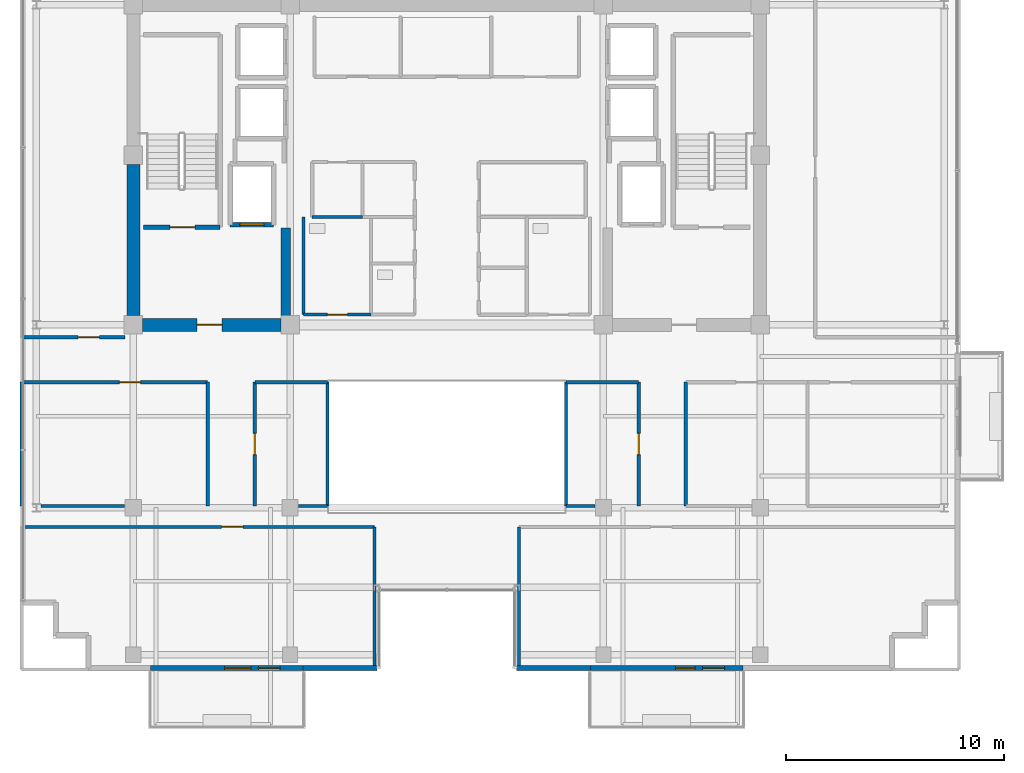
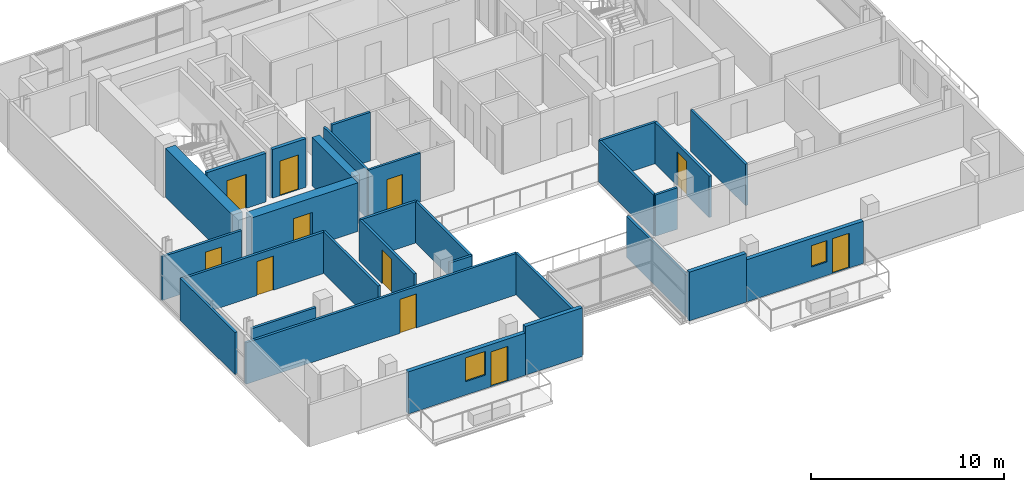
# One storey, part 15 of 22: 29 walls, 11 doors, 2 windows, 13 openings.
"""IFC4 building model written with IfcOpenShell, lengths in metres."""

from ifc_helpers import new_model, si_unit, direction, frame, frame_2d, origin, place, context, subcontext, project, spatial, rectangle, extrude, source, transform, mapped, material, layer, layer_set, type_object, element, fill, save


model = new_model("IFC4")

# Units and contexts
model_context = context("Model", 3, precision=1e-05, world=origin(), true_north=direction((0.0, 1.0)))
body_context = subcontext(model_context, "Body", "Model", "MODEL_VIEW")
ifc_project = project(units=[si_unit("LENGTHUNIT", "METRE"), si_unit("AREAUNIT", "SQUARE_METRE"), si_unit("VOLUMEUNIT", "CUBIC_METRE"), si_unit("PLANEANGLEUNIT", "RADIAN"), si_unit("MASSUNIT", "GRAM", prefix="KILO")], contexts=[model_context])

# Site, building, storey
site_placement = place(None, origin())
site = spatial("IfcSite", under=ifc_project, at=site_placement, CompositionType="ELEMENT")
building_placement = place(site_placement, origin())
building = spatial("IfcBuilding", under=site, at=building_placement, Name="Zarnakvel Exchange Tower", CompositionType="ELEMENT")
storey_placement = place(building_placement, frame((0.0, 0.0, 245.199951171875)))
storey = spatial("IfcBuildingStorey", under=building, at=storey_placement, Name="L69", CompositionType="ELEMENT", Elevation=245.199951171875)

# Wall
ifc_material_1 = material(Name="Concrete C50/60", Category="concrete")
ifc_layer_1 = layer(ifc_material_1, 0.60009765625)
ifc_layer_set_1 = layer_set([ifc_layer_1], Name="Concrete C50/60")
wall_type_1 = type_object("IfcWallType", Name="CW-C5", PredefinedType="SHEAR", material=ifc_layer_set_1)
wall_1_placement = place(storey_placement, frame((-14.39990234375, -0.77490234375, 0.0), z_axis=(0.0, 0.0, 1.0), x_axis=(0.0, 1.0, 0.0)))
element("IfcWall", 1, at=wall_1_placement, inside=storey, type_object=wall_type_1, Name="L69 Rear Core Shear Wall W1 (CW-C5)", PredefinedType="SHEAR", context=body_context, shape_type="SweptSolid", body=[
    extrude(rectangle(XDim=6.949951171875, YDim=0.60009765625, at=frame_2d((3.47509765625, 0.0))), origin(), (0.0, 0.0, 1.0), 3.074951171875),
])

# Wall, opening, door
wall_2_placement = place(storey_placement, frame((-7.625, -1.199951171875, 0.0), z_axis=(0.0, 0.0, 1.0), x_axis=(-1.0, 0.0, 0.0)))
wall_2 = element("IfcWall", 2, at=wall_2_placement, inside=storey, type_object=wall_type_1, Name="L69 Rear Core Shear Wall SW (CW-C5)", PredefinedType="SHEAR", context=body_context, shape_type="SweptSolid", body=[
    extrude(rectangle(XDim=6.35009765625, YDim=0.60009765625, at=frame_2d((3.175048828125, 0.0))), origin(), (0.0, 0.0, 1.0), 3.074951171875),
])
opening_1_placement = place(wall_2_placement, frame((2.699951171875, 0.0, 0.0)))
opening_1 = element("IfcOpeningElement", 3, at=opening_1_placement, cuts=wall_2, Name="Opening D-L69-03", PredefinedType="OPENING", context=body_context, shape_type="SweptSolid", body=[
    extrude(rectangle(XDim=1.14990234375, YDim=2.14990234375, at=frame_2d((0.574951171875, 1.074951171875))), frame((0.0, 0.31005859375, 0.0), z_axis=(0.0, -1.0, 0.0), x_axis=(1.0, 0.0, 0.0)), (0.0, 0.0, 1.0), 0.6201171875),
])
ifc_material_2 = material(Name="Painted Galvanised Steel S355", Category="steel")
door_type_1 = type_object("IfcDoorType", Name="DT-04", OperationType="NOTDEFINED", PredefinedType="DOOR", material=ifc_material_2)
shared_shape_1 = source(origin(), body_context, "Body", "SweptSolid", [
    extrude(rectangle(XDim=1.14990234375, YDim=2.14990234375, at=frame_2d((0.574951171875, 1.074951171875))), frame((0.0, 0.02490234375, 0.0), z_axis=(0.0, -1.0, 0.0), x_axis=(1.0, 0.0, 0.0)), (0.0, 0.0, 1.0), 0.050048828125),
])
door_1_placement = place(opening_1_placement, origin())
door_1 = element("IfcDoor", 4, at=door_1_placement, inside=storey, type_object=door_type_1, Name="L69 Firefighting Lobby West Door D-L69-03", OperationType="SINGLE_SWING_LEFT", OverallHeight=2.14990234375, OverallWidth=1.14990234375, PredefinedType="DOOR", context=body_context, shape_type="MappedRepresentation", body=[
    mapped(shared_shape_1, transform((0.0, 0.0, 0.0), x_axis=(1.0, 0.0, 0.0), y_axis=(0.0, 1.0, 0.0), z_axis=(0.0, 0.0, 1.0), scale=1.0)),
])
fill(opening_1, door_1)

# Wall
ifc_layer_2 = layer(ifc_material_1, 0.449951171875)
ifc_layer_set_2 = layer_set([ifc_layer_2], Name="Concrete C50/60")
wall_type_2 = type_object("IfcWallType", Name="CW-C6", PredefinedType="SHEAR", material=ifc_layer_set_2)
wall_3_placement = place(storey_placement, frame((-7.39990234375, -0.89990234375, 0.0), z_axis=(0.0, 0.0, 1.0), x_axis=(0.0, 1.0, 0.0)))
element("IfcWall", 5, at=wall_3_placement, inside=storey, type_object=wall_type_2, Name="L69 Rear Core Shear Wall IW (CW-C6)", PredefinedType="SHEAR", context=body_context, shape_type="SweptSolid", body=[
    extrude(rectangle(XDim=4.14990234375, YDim=0.449951171875, at=frame_2d((2.074951171875, 0.0))), origin(), (0.0, 0.0, 1.0), 3.074951171875),
])

# Wall, openings, door, window
ifc_material_3 = material(Name="Precast concrete C40/50", Category="concrete")
ifc_layer_3 = layer(ifc_material_3, 0.239990234375)
ifc_layer_set_3 = layer_set([ifc_layer_3], Name="Precast concrete C40/50")
wall_type_3 = type_object("IfcWallType", Name="EW-02", PredefinedType="SOLIDWALL", material=ifc_layer_set_3)
wall_4_placement = place(storey_placement, frame((-6.60009765625, -16.9599609375, 0.0), z_axis=(0.0, 0.0, 1.0), x_axis=(-1.0, 0.0, 0.0)))
wall_4 = element("IfcWall", 6, at=wall_4_placement, inside=storey, type_object=wall_type_3, Name="L69 Exterior Precast Spandrel Wall EW-BAL-L69-SW (EW-02)", PredefinedType="SOLIDWALL", context=body_context, shape_type="SweptSolid", body=[
    extrude(rectangle(XDim=7.0, YDim=0.239990234375, at=frame_2d((3.5, 0.0))), origin(), (0.0, 0.0, 1.0), 2.6650390625),
])
opening_2_placement = place(wall_4_placement, frame((1.050048828125, 0.0, 0.0)))
opening_2 = element("IfcOpeningElement", 7, at=opening_2_placement, cuts=wall_4, Name="Opening BD-L69-01", PredefinedType="OPENING", context=body_context, shape_type="SweptSolid", body=[
    extrude(rectangle(XDim=1.0, YDim=2.199951171875, at=frame_2d((0.5, 1.10009765625))), frame((0.0, 0.1298828125, 0.0), z_axis=(0.0, -1.0, 0.0), x_axis=(1.0, 0.0, 0.0)), (0.0, 0.0, 1.0), 0.260009765625),
])
opening_3_placement = place(wall_4_placement, frame((2.39990234375, 0.0, 0.85009765625)))
opening_3 = element("IfcOpeningElement", 8, at=opening_3_placement, cuts=wall_4, Name="Opening WN-04", PredefinedType="OPENING", context=body_context, shape_type="SweptSolid", body=[
    extrude(rectangle(XDim=1.199951171875, YDim=1.5, at=frame_2d((0.60009765625, 0.75))), frame((0.0, 0.1298828125, 0.0), z_axis=(0.0, -1.0, 0.0), x_axis=(1.0, 0.0, 0.0)), (0.0, 0.0, 1.0), 0.260009765625),
])
ifc_material_4 = material(Name="Architectural Bronze Anodised Aluminium", Category="aluminium")
door_type_2 = type_object("IfcDoorType", Name="DT-09", OperationType="NOTDEFINED", PredefinedType="DOOR", material=ifc_material_4)
shared_shape_2 = source(origin(), body_context, "Body", "SweptSolid", [
    extrude(rectangle(XDim=1.0, YDim=2.199951171875, at=frame_2d((0.5, 1.10009765625))), frame((0.0, 0.02490234375, 0.0), z_axis=(0.0, -1.0, 0.0), x_axis=(1.0, 0.0, 0.0)), (0.0, 0.0, 1.0), 0.050048828125),
])
door_2_placement = place(opening_2_placement, origin())
door_2 = element("IfcDoor", 9, at=door_2_placement, inside=storey, type_object=door_type_2, Name="L69 Planted Loggia Balcony Door BD-L69-01", OperationType="SINGLE_SWING_LEFT", OverallHeight=2.199951171875, OverallWidth=1.0, PredefinedType="DOOR", context=body_context, shape_type="MappedRepresentation", body=[
    mapped(shared_shape_2, transform((0.0, 0.0, 0.0), x_axis=(1.0, 0.0, 0.0), y_axis=(0.0, 1.0, 0.0), z_axis=(0.0, 0.0, 1.0), scale=1.0)),
])
fill(opening_2, door_2)
ifc_material_5 = material(Name="Double Low-E Laminated Vision Glass", Category="glass")
window_type_1 = type_object("IfcWindowType", Name="WN-04", PartitioningType="SINGLE_PANEL", PredefinedType="WINDOW", material=ifc_material_5)
shared_shape_3 = source(origin(), body_context, "Body", "SweptSolid", [
    extrude(rectangle(XDim=1.199951171875, YDim=1.5, at=frame_2d((0.60009765625, 0.75))), frame((0.0, 0.030029296875, 0.0), z_axis=(0.0, -1.0, 0.0), x_axis=(1.0, 0.0, 0.0)), (0.0, 0.0, 1.0), 0.06005859375),
])
window_1_placement = place(opening_3_placement, origin())
window_1 = element("IfcWindow", 10, at=window_1_placement, inside=storey, type_object=window_type_1, Name="L69 Loggia Daylight Window (WN-04)", OverallHeight=1.5, OverallWidth=1.199951171875, PartitioningType="SINGLE_PANEL", PredefinedType="WINDOW", context=body_context, shape_type="MappedRepresentation", body=[
    mapped(shared_shape_3, transform((0.0, 0.0, 0.0), x_axis=(1.0, 0.0, 0.0), y_axis=(0.0, 1.0, 0.0), z_axis=(0.0, 0.0, 1.0), scale=1.0)),
])
fill(opening_3, window_1)

wall_5_placement = place(storey_placement, frame((13.60009765625, -16.9599609375, 0.0), z_axis=(0.0, 0.0, 1.0), x_axis=(-1.0, 0.0, 0.0)))
wall_5 = element("IfcWall", 11, at=wall_5_placement, inside=storey, type_object=wall_type_3, Name="L69 Exterior Precast Spandrel Wall EW-BAL-L69-SE (EW-02)", PredefinedType="SOLIDWALL", context=body_context, shape_type="SweptSolid", body=[
    extrude(rectangle(XDim=7.0, YDim=0.239990234375, at=frame_2d((3.5, 0.0))), origin(), (0.0, 0.0, 1.0), 2.6650390625),
])
opening_4_placement = place(wall_5_placement, frame((0.840087890625, 0.0, 0.0)))
opening_4 = element("IfcOpeningElement", 12, at=opening_4_placement, cuts=wall_5, Name="Opening BD-L69-02", PredefinedType="OPENING", context=body_context, shape_type="SweptSolid", body=[
    extrude(rectangle(XDim=1.0, YDim=2.199951171875, at=frame_2d((0.5, 1.10009765625))), frame((0.0, 0.1298828125, 0.0), z_axis=(0.0, -1.0, 0.0), x_axis=(1.0, 0.0, 0.0)), (0.0, 0.0, 1.0), 0.260009765625),
])
opening_5_placement = place(wall_5_placement, frame((2.18994140625, 0.0, 0.85009765625)))
opening_5 = element("IfcOpeningElement", 13, at=opening_5_placement, cuts=wall_5, Name="Opening WN-06", PredefinedType="OPENING", context=body_context, shape_type="SweptSolid", body=[
    extrude(rectangle(XDim=0.89990234375, YDim=1.35009765625, at=frame_2d((0.449951171875, 0.675048828125))), frame((0.0, 0.1298828125, 0.0), z_axis=(0.0, -1.0, 0.0), x_axis=(1.0, 0.0, 0.0)), (0.0, 0.0, 1.0), 0.260009765625),
])
door_3_placement = place(opening_4_placement, origin())
door_3 = element("IfcDoor", 14, at=door_3_placement, inside=storey, type_object=door_type_2, Name="L69 Planted Loggia Balcony Door BD-L69-02", OperationType="SINGLE_SWING_RIGHT", OverallHeight=2.199951171875, OverallWidth=1.0, PredefinedType="DOOR", context=body_context, shape_type="MappedRepresentation", body=[
    mapped(shared_shape_2, transform((0.0, 0.0, 0.0), x_axis=(1.0, 0.0, 0.0), y_axis=(0.0, 1.0, 0.0), z_axis=(0.0, 0.0, 1.0), scale=1.0)),
])
fill(opening_4, door_3)
window_type_2 = type_object("IfcWindowType", Name="WN-06", PartitioningType="SINGLE_PANEL", PredefinedType="WINDOW", material=ifc_material_5)
shared_shape_4 = source(origin(), body_context, "Body", "SweptSolid", [
    extrude(rectangle(XDim=0.89990234375, YDim=1.35009765625, at=frame_2d((0.449951171875, 0.675048828125))), frame((0.0, 0.030029296875, 0.0), z_axis=(0.0, -1.0, 0.0), x_axis=(1.0, 0.0, 0.0)), (0.0, 0.0, 1.0), 0.06005859375),
])
window_2_placement = place(opening_5_placement, origin())
window_2 = element("IfcWindow", 15, at=window_2_placement, inside=storey, type_object=window_type_2, Name="L69 Loggia Daylight Window (WN-06)", OverallHeight=1.35009765625, OverallWidth=0.89990234375, PartitioningType="SINGLE_PANEL", PredefinedType="WINDOW", context=body_context, shape_type="MappedRepresentation", body=[
    mapped(shared_shape_4, transform((0.0, 0.0, 0.0), x_axis=(1.0, 0.0, 0.0), y_axis=(0.0, 1.0, 0.0), z_axis=(0.0, 0.0, 1.0), scale=1.0)),
])
fill(opening_5, window_2)

# Walls
for number, where, z_axis, x_axis, name in (
    (16, (3.199951171875, -16.9599609375, 0.0), (0.0, 0.0, 1.0), (1.0, 0.0, 0.0), "L69 Exterior Precast Spandrel Wall EWC-L69-16 (EW-02)"),
    (17, (-6.60009765625, -16.9599609375, 0.0), (0.0, 0.0, 1.0), (1.0, 0.0, 0.0), "L69 Exterior Precast Spandrel Wall EWC-L69-21 (EW-02)"),
):
    element("IfcWall", number, at=place(storey_placement, frame(where, z_axis=z_axis, x_axis=x_axis)), inside=storey, type_object=wall_type_3, Name=name, PredefinedType="SOLIDWALL", context=body_context, shape_type="SweptSolid", body=[
        extrude(rectangle(XDim=3.400146484375, YDim=0.239990234375, at=frame_2d((1.7001953125, 0.0))), origin(), (0.0, 0.0, 1.0), 3.074951171875),
    ])
ifc_material_6 = material(Name="Fire-Rated Gypsum Stud Partition", Category="gypsum")
ifc_layer_4 = layer(ifc_material_6, 0.14990234375)
ifc_layer_set_4 = layer_set([ifc_layer_4], Name="Fire-Rated Gypsum Stud Partition")
wall_type_4 = type_object("IfcWallType", Name="PT-01", PredefinedType="PARTITIONING", material=ifc_layer_set_4)
wall_6_placement = place(storey_placement, frame((-3.8701171875, 3.760009765625, 0.0), z_axis=(0.0, 0.0, 1.0), x_axis=(-1.0, 0.0, 0.0)))
element("IfcWall", 18, at=wall_6_placement, inside=storey, type_object=wall_type_4, Name="L69 Partition Wall PWALL-L69-018 (PT-01)", PredefinedType="PARTITIONING", context=body_context, shape_type="SweptSolid", body=[
    extrude(rectangle(XDim=2.309814453125, YDim=0.14990234375, at=frame_2d((1.15478515625, 0.0))), origin(), (0.0, 0.0, 1.0), 3.074951171875),
])
wall_7_placement = place(storey_placement, frame((-14.794921875, -9.52001953125, 0.0), z_axis=(0.0, 0.0, 1.0), x_axis=(-1.0, 0.0, 0.0)))
element("IfcWall", 19, at=wall_7_placement, inside=storey, type_object=wall_type_4, Name="L69 Partition Wall PWALL-L69-044 (PT-01)", PredefinedType="PARTITIONING", context=body_context, shape_type="SweptSolid", body=[
    extrude(rectangle(XDim=3.84765625, YDim=0.14990234375, at=frame_2d((1.923828125, 0.0))), origin(), (0.0, 0.0, 1.0), 2.614990234375),
])

# Wall, opening, door
wall_8_placement = place(storey_placement, frame((-19.530029296875, -3.830078125, 0.0), z_axis=(0.0, 0.0, 1.0), x_axis=(1.0, 0.0, 0.0)))
wall_8 = element("IfcWall", 20, at=wall_8_placement, inside=storey, type_object=wall_type_4, Name="L69 Partition Wall PWALL-L69-045 (PT-01)", PredefinedType="PARTITIONING", context=body_context, shape_type="SweptSolid", body=[
    extrude(rectangle(XDim=8.550048828125, YDim=0.14990234375, at=frame_2d((4.27490234375, 0.0))), origin(), (0.0, 0.0, 1.0), 2.614990234375),
])
opening_6_placement = place(wall_8_placement, frame((4.485107421875, 0.0, 0.0)))
opening_6 = element("IfcOpeningElement", 21, at=opening_6_placement, cuts=wall_8, Name="Opening D-L69-17", PredefinedType="OPENING", context=body_context, shape_type="SweptSolid", body=[
    extrude(rectangle(XDim=0.97998046875, YDim=2.14990234375, at=frame_2d((0.489990234375, 1.074951171875))), frame((0.0, 0.0849609375, 0.0), z_axis=(0.0, -1.0, 0.0), x_axis=(1.0, 0.0, 0.0)), (0.0, 0.0, 1.0), 0.169921875),
])
ifc_material_7 = material(Name="Timber Acoustic Veneer", Category="wood")
door_type_3 = type_object("IfcDoorType", Name="DT-05", OperationType="NOTDEFINED", PredefinedType="DOOR", material=ifc_material_7)
shared_shape_5 = source(origin(), body_context, "Body", "SweptSolid", [
    extrude(rectangle(XDim=0.97998046875, YDim=2.14990234375, at=frame_2d((0.489990234375, 1.074951171875))), frame((0.0, 0.02490234375, 0.0), z_axis=(0.0, -1.0, 0.0), x_axis=(1.0, 0.0, 0.0)), (0.0, 0.0, 1.0), 0.050048828125),
])
door_4_placement = place(opening_6_placement, origin())
door_4 = element("IfcDoor", 22, at=door_4_placement, inside=storey, type_object=door_type_3, Name="L69 Equities Trading Floor Door D-L69-17", OperationType="SINGLE_SWING_LEFT", OverallHeight=2.14990234375, OverallWidth=0.97998046875, PredefinedType="DOOR", context=body_context, shape_type="MappedRepresentation", body=[
    mapped(shared_shape_5, transform((0.0, 0.0, 0.0), x_axis=(1.0, 0.0, 0.0), y_axis=(0.0, 1.0, 0.0), z_axis=(0.0, 0.0, 1.0), scale=1.0)),
])
fill(opening_6, door_4)

# Walls
wall_9_placement = place(storey_placement, frame((-19.530029296875, -9.52001953125, 0.0), z_axis=(0.0, 0.0, 1.0), x_axis=(0.0, 1.0, 0.0)))
element("IfcWall", 23, at=wall_9_placement, inside=storey, type_object=wall_type_4, Name="L69 Partition Wall PWALL-L69-046 (PT-01)", PredefinedType="PARTITIONING", context=body_context, shape_type="SweptSolid", body=[
    extrude(rectangle(XDim=5.68994140625, YDim=0.14990234375, at=frame_2d((2.844970703125, 0.0))), origin(), (0.0, 0.0, 1.0), 2.6650390625),
])
wall_10_placement = place(storey_placement, frame((-10.97998046875, -3.830078125, 0.0), z_axis=(0.0, 0.0, 1.0), x_axis=(0.0, -1.0, 0.0)))
element("IfcWall", 24, at=wall_10_placement, inside=storey, type_object=wall_type_4, Name="L69 Partition Wall PWALL-L69-047 (PT-01)", PredefinedType="PARTITIONING", context=body_context, shape_type="SweptSolid", body=[
    extrude(rectangle(XDim=5.68994140625, YDim=0.14990234375, at=frame_2d((2.844970703125, 0.0))), origin(), (0.0, 0.0, 1.0), 2.614990234375),
])

# Wall, opening, door
wall_11_placement = place(storey_placement, frame((-19.530029296875, -10.47998046875, 0.0), z_axis=(0.0, 0.0, 1.0), x_axis=(1.0, 0.0, 0.0)))
wall_11 = element("IfcWall", 25, at=wall_11_placement, inside=storey, type_object=wall_type_4, Name="L69 Partition Wall PWALL-L69-049 (PT-01)", PredefinedType="PARTITIONING", context=body_context, shape_type="SweptSolid", body=[
    extrude(rectangle(XDim=16.2099609375, YDim=0.14990234375, at=frame_2d((8.10498046875, 0.0))), origin(), (0.0, 0.0, 1.0), 2.614990234375),
])
opening_7_placement = place(wall_11_placement, frame((9.18994140625, 0.0, 0.0)))
opening_7 = element("IfcOpeningElement", 26, at=opening_7_placement, cuts=wall_11, Name="Opening D-L69-18", PredefinedType="OPENING", context=body_context, shape_type="SweptSolid", body=[
    extrude(rectangle(XDim=0.97998046875, YDim=2.14990234375, at=frame_2d((0.489990234375, 1.074951171875))), frame((0.0, 0.0849609375, 0.0), z_axis=(0.0, -1.0, 0.0), x_axis=(1.0, 0.0, 0.0)), (0.0, 0.0, 1.0), 0.169921875),
])
door_5_placement = place(opening_7_placement, origin())
door_5 = element("IfcDoor", 27, at=door_5_placement, inside=storey, type_object=door_type_3, Name="L69 Equities Trading Floor Door D-L69-18", OperationType="SINGLE_SWING_RIGHT", OverallHeight=2.14990234375, OverallWidth=0.97998046875, PredefinedType="DOOR", context=body_context, shape_type="MappedRepresentation", body=[
    mapped(shared_shape_5, transform((0.0, 0.0, 0.0), x_axis=(1.0, 0.0, 0.0), y_axis=(0.0, 1.0, 0.0), z_axis=(0.0, 0.0, 1.0), scale=1.0)),
])
fill(opening_7, door_5)

# Walls
wall_12_placement = place(storey_placement, frame((-3.320068359375, -10.47998046875, 0.0), z_axis=(0.0, 0.0, 1.0), x_axis=(0.0, -1.0, 0.0)))
element("IfcWall", 28, at=wall_12_placement, inside=storey, type_object=wall_type_4, Name="L69 Partition Wall PWALL-L69-051 (PT-01)", PredefinedType="PARTITIONING", context=body_context, shape_type="SweptSolid", body=[
    extrude(rectangle(XDim=6.550048828125, YDim=0.14990234375, at=frame_2d((3.27490234375, 0.0))), origin(), (0.0, 0.0, 1.0), 2.614990234375),
])
wall_13_placement = place(storey_placement, frame((10.97998046875, -9.52001953125, 0.0), z_axis=(0.0, 0.0, 1.0), x_axis=(0.0, 1.0, 0.0)))
element("IfcWall", 29, at=wall_13_placement, inside=storey, type_object=wall_type_4, Name="L69 Partition Wall PWALL-L69-054 (PT-01)", PredefinedType="PARTITIONING", context=body_context, shape_type="SweptSolid", body=[
    extrude(rectangle(XDim=5.68994140625, YDim=0.14990234375, at=frame_2d((2.844970703125, 0.0))), origin(), (0.0, 0.0, 1.0), 2.614990234375),
])
wall_14_placement = place(storey_placement, frame((3.320068359375, -17.030029296875, 0.0), z_axis=(0.0, 0.0, 1.0), x_axis=(0.0, 1.0, 0.0)))
element("IfcWall", 30, at=wall_14_placement, inside=storey, type_object=wall_type_4, Name="L69 Partition Wall PWALL-L69-061 (PT-01)", PredefinedType="PARTITIONING", context=body_context, shape_type="SweptSolid", body=[
    extrude(rectangle(XDim=6.550048828125, YDim=0.14990234375, at=frame_2d((3.27490234375, 0.0))), origin(), (0.0, 0.0, 1.0), 2.614990234375),
])
wall_15_placement = place(storey_placement, frame((-5.47998046875, -9.52001953125, 0.0), z_axis=(0.0, 0.0, 1.0), x_axis=(-1.0, 0.0, 0.0)))
element("IfcWall", 31, at=wall_15_placement, inside=storey, type_object=wall_type_4, Name="L69 Partition Wall PWALL-L69-063 (PT-01)", PredefinedType="PARTITIONING", context=body_context, shape_type="SweptSolid", body=[
    extrude(rectangle(XDim=1.324951171875, YDim=0.14990234375, at=frame_2d((0.66259765625, 0.0))), origin(), (0.0, 0.0, 1.0), 2.614990234375),
])
wall_16_placement = place(storey_placement, frame((-8.820068359375, -3.830078125, 0.0), z_axis=(0.0, 0.0, 1.0), x_axis=(1.0, 0.0, 0.0)))
element("IfcWall", 32, at=wall_16_placement, inside=storey, type_object=wall_type_4, Name="L69 Partition Wall PWALL-L69-064 (PT-01)", PredefinedType="PARTITIONING", context=body_context, shape_type="SweptSolid", body=[
    extrude(rectangle(XDim=3.340087890625, YDim=0.14990234375, at=frame_2d((1.669921875, 0.0))), origin(), (0.0, 0.0, 1.0), 2.614990234375),
])

# Wall, opening, door
wall_17_placement = place(storey_placement, frame((-8.820068359375, -9.52001953125, 0.0), z_axis=(0.0, 0.0, 1.0), x_axis=(0.0, 1.0, 0.0)))
wall_17 = element("IfcWall", 33, at=wall_17_placement, inside=storey, type_object=wall_type_4, Name="L69 Partition Wall PWALL-L69-065 (PT-01)", PredefinedType="PARTITIONING", context=body_context, shape_type="SweptSolid", body=[
    extrude(rectangle(XDim=5.68994140625, YDim=0.14990234375, at=frame_2d((2.844970703125, 0.0))), origin(), (0.0, 0.0, 1.0), 2.614990234375),
])
opening_8_placement = place(wall_17_placement, frame((2.35498046875, 0.0, 0.0)))
opening_8 = element("IfcOpeningElement", 34, at=opening_8_placement, cuts=wall_17, Name="Opening D-L69-22", PredefinedType="OPENING", context=body_context, shape_type="SweptSolid", body=[
    extrude(rectangle(XDim=0.97998046875, YDim=2.14990234375, at=frame_2d((0.489990234375, 1.074951171875))), frame((0.0, 0.0849609375, 0.0), z_axis=(0.0, -1.0, 0.0), x_axis=(1.0, 0.0, 0.0)), (0.0, 0.0, 1.0), 0.169921875),
])
door_6_placement = place(opening_8_placement, origin())
door_6 = element("IfcDoor", 35, at=door_6_placement, inside=storey, type_object=door_type_3, Name="L69 Staff Pantry Door D-L69-22", OperationType="SINGLE_SWING_RIGHT", OverallHeight=2.14990234375, OverallWidth=0.97998046875, PredefinedType="DOOR", context=body_context, shape_type="MappedRepresentation", body=[
    mapped(shared_shape_5, transform((0.0, 0.0, 0.0), x_axis=(1.0, 0.0, 0.0), y_axis=(0.0, 1.0, 0.0), z_axis=(0.0, 0.0, 1.0), scale=1.0)),
])
fill(opening_8, door_6)

# Walls
wall_18_placement = place(storey_placement, frame((-5.47998046875, -3.830078125, 0.0), z_axis=(0.0, 0.0, 1.0), x_axis=(0.0, -1.0, 0.0)))
element("IfcWall", 36, at=wall_18_placement, inside=storey, type_object=wall_type_4, Name="L69 Partition Wall PWALL-L69-066 (PT-01)", PredefinedType="PARTITIONING", context=body_context, shape_type="SweptSolid", body=[
    extrude(rectangle(XDim=5.68994140625, YDim=0.14990234375, at=frame_2d((2.844970703125, 0.0))), origin(), (0.0, 0.0, 1.0), 2.614990234375),
])
wall_19_placement = place(storey_placement, frame((6.804931640625, -9.52001953125, 0.0), z_axis=(0.0, 0.0, 1.0), x_axis=(-1.0, 0.0, 0.0)))
element("IfcWall", 37, at=wall_19_placement, inside=storey, type_object=wall_type_4, Name="L69 Partition Wall PWALL-L69-067 (PT-01)", PredefinedType="PARTITIONING", context=body_context, shape_type="SweptSolid", body=[
    extrude(rectangle(XDim=1.324951171875, YDim=0.14990234375, at=frame_2d((0.66259765625, 0.0))), origin(), (0.0, 0.0, 1.0), 2.614990234375),
])
wall_20_placement = place(storey_placement, frame((5.47998046875, -3.830078125, 0.0), z_axis=(0.0, 0.0, 1.0), x_axis=(1.0, 0.0, 0.0)))
element("IfcWall", 38, at=wall_20_placement, inside=storey, type_object=wall_type_4, Name="L69 Partition Wall PWALL-L69-068 (PT-01)", PredefinedType="PARTITIONING", context=body_context, shape_type="SweptSolid", body=[
    extrude(rectangle(XDim=3.340087890625, YDim=0.14990234375, at=frame_2d((1.669921875, 0.0))), origin(), (0.0, 0.0, 1.0), 2.614990234375),
])
wall_21_placement = place(storey_placement, frame((5.47998046875, -9.52001953125, 0.0), z_axis=(0.0, 0.0, 1.0), x_axis=(0.0, 1.0, 0.0)))
element("IfcWall", 39, at=wall_21_placement, inside=storey, type_object=wall_type_4, Name="L69 Partition Wall PWALL-L69-069 (PT-01)", PredefinedType="PARTITIONING", context=body_context, shape_type="SweptSolid", body=[
    extrude(rectangle(XDim=5.68994140625, YDim=0.14990234375, at=frame_2d((2.844970703125, 0.0))), origin(), (0.0, 0.0, 1.0), 2.614990234375),
])

# Wall, opening, door
wall_22_placement = place(storey_placement, frame((8.820068359375, -3.830078125, 0.0), z_axis=(0.0, 0.0, 1.0), x_axis=(0.0, -1.0, 0.0)))
wall_22 = element("IfcWall", 40, at=wall_22_placement, inside=storey, type_object=wall_type_4, Name="L69 Partition Wall PWALL-L69-070 (PT-01)", PredefinedType="PARTITIONING", context=body_context, shape_type="SweptSolid", body=[
    extrude(rectangle(XDim=5.68994140625, YDim=0.14990234375, at=frame_2d((2.844970703125, 0.0))), origin(), (0.0, 0.0, 1.0), 2.614990234375),
])
opening_9_placement = place(wall_22_placement, frame((2.35498046875, 0.0, 0.0)))
opening_9 = element("IfcOpeningElement", 41, at=opening_9_placement, cuts=wall_22, Name="Opening D-L69-23", PredefinedType="OPENING", context=body_context, shape_type="SweptSolid", body=[
    extrude(rectangle(XDim=0.97998046875, YDim=2.14990234375, at=frame_2d((0.489990234375, 1.074951171875))), frame((0.0, 0.0849609375, 0.0), z_axis=(0.0, -1.0, 0.0), x_axis=(1.0, 0.0, 0.0)), (0.0, 0.0, 1.0), 0.169921875),
])
door_7_placement = place(opening_9_placement, origin())
door_7 = element("IfcDoor", 42, at=door_7_placement, inside=storey, type_object=door_type_3, Name="L69 Risk Analytics Suite Door D-L69-23", OperationType="SINGLE_SWING_LEFT", OverallHeight=2.14990234375, OverallWidth=0.97998046875, PredefinedType="DOOR", context=body_context, shape_type="MappedRepresentation", body=[
    mapped(shared_shape_5, transform((0.0, 0.0, 0.0), x_axis=(1.0, 0.0, 0.0), y_axis=(0.0, 1.0, 0.0), z_axis=(0.0, 0.0, 1.0), scale=1.0)),
])
fill(opening_9, door_7)

wall_23_placement = place(storey_placement, frame((-14.77001953125, -1.77001953125, 0.0), z_axis=(0.0, 0.0, 1.0), x_axis=(-1.0, 0.0, 0.0)))
wall_23 = element("IfcWall", 43, at=wall_23_placement, inside=storey, type_object=wall_type_4, Name="L69 Partition Wall PWALL-L69-071 (PT-01)", PredefinedType="PARTITIONING", context=body_context, shape_type="SweptSolid", body=[
    extrude(rectangle(XDim=4.760009765625, YDim=0.14990234375, at=frame_2d((2.3798828125, 0.0))), origin(), (0.0, 0.0, 1.0), 2.76513671875),
])
opening_10_placement = place(wall_23_placement, frame((1.18994140625, 0.0, 0.0)))
opening_10 = element("IfcOpeningElement", 44, at=opening_10_placement, cuts=wall_23, Name="Opening D-L69-24", PredefinedType="OPENING", context=body_context, shape_type="SweptSolid", body=[
    extrude(rectangle(XDim=0.97998046875, YDim=2.14990234375, at=frame_2d((0.489990234375, 1.074951171875))), frame((0.0, 0.0849609375, 0.0), z_axis=(0.0, -1.0, 0.0), x_axis=(1.0, 0.0, 0.0)), (0.0, 0.0, 1.0), 0.169921875),
])
door_8_placement = place(opening_10_placement, origin())
door_8 = element("IfcDoor", 45, at=door_8_placement, inside=storey, type_object=door_type_3, Name="L69 Executive Office Door D-L69-24", OperationType="SINGLE_SWING_RIGHT", OverallHeight=2.14990234375, OverallWidth=0.97998046875, PredefinedType="DOOR", context=body_context, shape_type="MappedRepresentation", body=[
    mapped(shared_shape_5, transform((0.0, 0.0, 0.0), x_axis=(1.0, 0.0, 0.0), y_axis=(0.0, 1.0, 0.0), z_axis=(0.0, 0.0, 1.0), scale=1.0)),
])
fill(opening_10, door_8)

ifc_material_8 = material(Name="Moisture-Resistant Tile-Faced Partition", Category="gypsum")
ifc_layer_5 = layer(ifc_material_8, 0.135009765625)
ifc_layer_set_5 = layer_set([ifc_layer_5], Name="Moisture-Resistant Tile-Faced Partition")
wall_type_5 = type_object("IfcWallType", Name="PT-03", PredefinedType="PARTITIONING", material=ifc_layer_set_5)
wall_24_placement = place(storey_placement, frame((-3.469970703125, -0.72998046875, 0.0), z_axis=(0.0, 0.0, 1.0), x_axis=(-1.0, 0.0, 0.0)))
wall_24 = element("IfcWall", 46, at=wall_24_placement, inside=storey, type_object=wall_type_5, Name="L69 Partition Wall PWALL-L69-029 (PT-03)", PredefinedType="PARTITIONING", context=body_context, shape_type="SweptSolid", body=[
    extrude(rectangle(XDim=3.110107421875, YDim=0.135009765625, at=frame_2d((1.55517578125, 0.0))), origin(), (0.0, 0.0, 1.0), 3.074951171875),
])
opening_11_placement = place(wall_24_placement, frame((1.090087890625, 0.0, 0.0)))
opening_11 = element("IfcOpeningElement", 47, at=opening_11_placement, cuts=wall_24, Name="Opening D-L69-11", PredefinedType="OPENING", context=body_context, shape_type="SweptSolid", body=[
    extrude(rectangle(XDim=0.919921875, YDim=2.10009765625, at=frame_2d((0.4599609375, 1.050048828125))), frame((0.0, 0.077392578125, 0.0), z_axis=(0.0, -1.0, 0.0), x_axis=(1.0, 0.0, 0.0)), (0.0, 0.0, 1.0), 0.155029296875),
])
ifc_material_9 = material(Name="Moisture-Resistant Laminate Timber", Category="wood")
door_type_4 = type_object("IfcDoorType", Name="DT-07", OperationType="NOTDEFINED", PredefinedType="DOOR", material=ifc_material_9)
shared_shape_6 = source(origin(), body_context, "Body", "SweptSolid", [
    extrude(rectangle(XDim=0.919921875, YDim=2.10009765625, at=frame_2d((0.4599609375, 1.050048828125))), frame((0.0, 0.02490234375, 0.0), z_axis=(0.0, -1.0, 0.0), x_axis=(1.0, 0.0, 0.0)), (0.0, 0.0, 1.0), 0.050048828125),
])
door_9_placement = place(opening_11_placement, origin())
door_9 = element("IfcDoor", 48, at=door_9_placement, inside=storey, type_object=door_type_4, Name="L69 Male Toilet Door D-L69-11", OperationType="SINGLE_SWING_LEFT", OverallHeight=2.10009765625, OverallWidth=0.919921875, PredefinedType="DOOR", context=body_context, shape_type="MappedRepresentation", body=[
    mapped(shared_shape_6, transform((0.0, 0.0, 0.0), x_axis=(1.0, 0.0, 0.0), y_axis=(0.0, 1.0, 0.0), z_axis=(0.0, 0.0, 1.0), scale=1.0)),
])
fill(opening_11, door_9)

# Wall
wall_25_placement = place(storey_placement, frame((-6.580078125, -0.72998046875, 0.0), z_axis=(0.0, 0.0, 1.0), x_axis=(0.0, 1.0, 0.0)))
element("IfcWall", 49, at=wall_25_placement, inside=storey, type_object=wall_type_5, Name="L69 Partition Wall PWALL-L69-030 (PT-03)", PredefinedType="PARTITIONING", context=body_context, shape_type="SweptSolid", body=[
    extrude(rectangle(XDim=4.489990234375, YDim=0.135009765625, at=frame_2d((2.2451171875, 0.0))), origin(), (0.0, 0.0, 1.0), 3.074951171875),
])

# Wall, opening, door
ifc_material_10 = material(Name="Concrete C40/50", Category="concrete")
ifc_layer_6 = layer(ifc_material_10, 0.199951171875)
ifc_layer_set_6 = layer_set([ifc_layer_6], Name="Concrete C40/50")
wall_type_6 = type_object("IfcWallType", Name="SW-01", PredefinedType="SOLIDWALL", material=ifc_layer_set_6)
wall_26_placement = place(storey_placement, frame((-7.949951171875, 3.39990234375, 0.0), z_axis=(0.0, 0.0, 1.0), x_axis=(-1.0, 0.0, 0.0)))
wall_26 = element("IfcWall", 50, at=wall_26_placement, inside=storey, type_object=wall_type_6, Name="L69 FL-01 Hoistway Wall South", PredefinedType="SOLIDWALL", context=body_context, shape_type="SweptSolid", body=[
    extrude(rectangle(XDim=2.0, YDim=0.199951171875, at=frame_2d((1.0, 0.0))), origin(), (0.0, 0.0, 1.0), 3.074951171875),
])
opening_12_placement = place(wall_26_placement, frame((0.449951171875, 0.0, 0.0)))
opening_12 = element("IfcOpeningElement", 51, at=opening_12_placement, cuts=wall_26, Name="Opening LD-FL-01-L69", PredefinedType="OPENING", context=body_context, shape_type="SweptSolid", body=[
    extrude(rectangle(XDim=1.10009765625, YDim=2.199951171875, at=frame_2d((0.550048828125, 1.10009765625))), frame((0.0, 0.10986328125, 0.0), z_axis=(0.0, -1.0, 0.0), x_axis=(1.0, 0.0, 0.0)), (0.0, 0.0, 1.0), 0.219970703125),
])
ifc_material_11 = material(Name="Brushed Stainless Steel", Category="steel")
door_type_5 = type_object("IfcDoorType", Name="LDT-01", OperationType="NOTDEFINED", PredefinedType="DOOR", material=ifc_material_11)
shared_shape_7 = source(origin(), body_context, "Body", "SweptSolid", [
    extrude(rectangle(XDim=1.10009765625, YDim=2.199951171875, at=frame_2d((0.550048828125, 1.10009765625))), frame((0.0, 0.02490234375, 0.0), z_axis=(0.0, -1.0, 0.0), x_axis=(1.0, 0.0, 0.0)), (0.0, 0.0, 1.0), 0.050048828125),
])
door_10_placement = place(opening_12_placement, origin())
door_10 = element("IfcDoor", 52, at=door_10_placement, inside=storey, type_object=door_type_5, Name="L69 FL-01 Lift Landing Door LD-FL-01-L69", OperationType="DOUBLE_DOOR_SLIDING", OverallHeight=2.199951171875, OverallWidth=1.10009765625, PredefinedType="DOOR", context=body_context, shape_type="MappedRepresentation", body=[
    mapped(shared_shape_7, transform((0.0, 0.0, 0.0), x_axis=(1.0, 0.0, 0.0), y_axis=(0.0, 1.0, 0.0), z_axis=(0.0, 0.0, 1.0), scale=1.0)),
])
fill(opening_12, door_10)

ifc_layer_7 = layer(ifc_material_10, 0.199951171875)
ifc_layer_set_7 = layer_set([ifc_layer_7], Name="Concrete C40/50")
wall_type_7 = type_object("IfcWallType", Name="SW-02", PredefinedType="SOLIDWALL", material=ifc_layer_set_7)
wall_27_placement = place(storey_placement, frame((-10.409912109375, 3.2900390625, 0.0), z_axis=(0.0, 0.0, 1.0), x_axis=(-1.0, 0.0, 0.0)))
wall_27 = element("IfcWall", 53, at=wall_27_placement, inside=storey, type_object=wall_type_7, Name="L69 Stairwell Core Wall PWALL-L69-001 (SW-02)", PredefinedType="SOLIDWALL", context=body_context, shape_type="SweptSolid", body=[
    extrude(rectangle(XDim=3.52001953125, YDim=0.199951171875, at=frame_2d((1.760009765625, 0.0))), origin(), (0.0, 0.0, 1.0), 3.074951171875),
])
opening_13_placement = place(wall_27_placement, frame((1.1650390625, 0.0, 0.0)))
opening_13 = element("IfcOpeningElement", 54, at=opening_13_placement, cuts=wall_27, Name="Opening D-L69-01", PredefinedType="OPENING", context=body_context, shape_type="SweptSolid", body=[
    extrude(rectangle(XDim=1.14990234375, YDim=2.14990234375, at=frame_2d((0.574951171875, 1.074951171875))), frame((0.0, 0.10986328125, 0.0), z_axis=(0.0, -1.0, 0.0), x_axis=(1.0, 0.0, 0.0)), (0.0, 0.0, 1.0), 0.219970703125),
])
door_11_placement = place(opening_13_placement, origin())
door_11 = element("IfcDoor", 55, at=door_11_placement, inside=storey, type_object=door_type_1, Name="L69 Stairwell ST-01 Door D-L69-01", OperationType="SINGLE_SWING_LEFT", OverallHeight=2.14990234375, OverallWidth=1.14990234375, PredefinedType="DOOR", context=body_context, shape_type="MappedRepresentation", body=[
    mapped(shared_shape_1, transform((0.0, 0.0, 0.0), x_axis=(1.0, 0.0, 0.0), y_axis=(0.0, 1.0, 0.0), z_axis=(0.0, 0.0, 1.0), scale=1.0)),
])
fill(opening_13, door_11)

save(model, "model.ifc")
